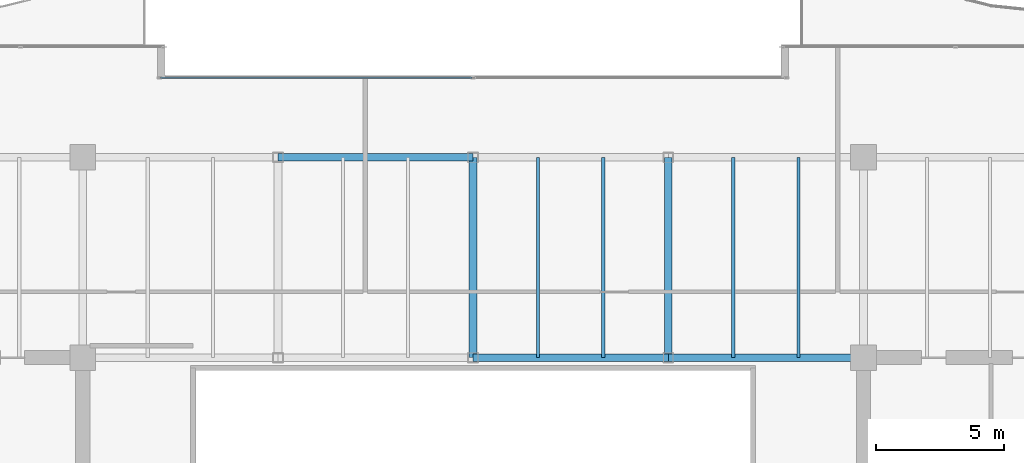
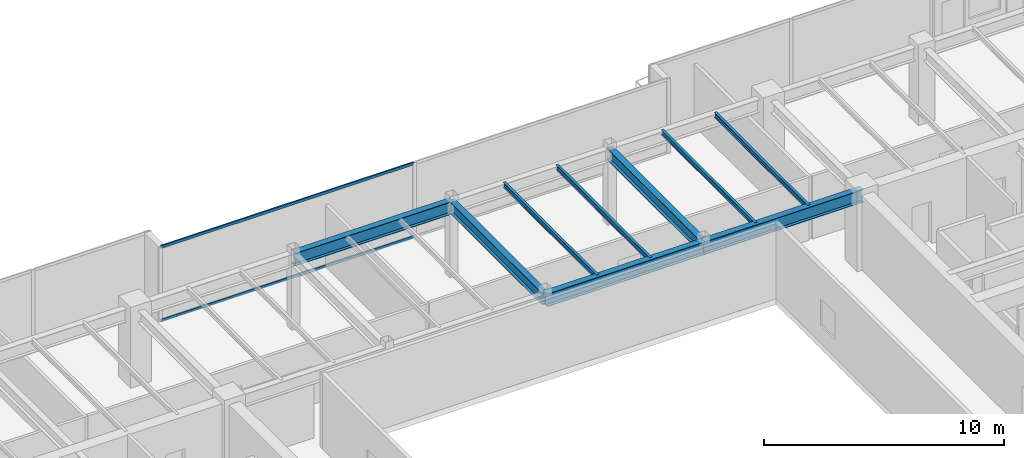
# One storey, part 18 of 34: 9 beams, 2 members, 1 element without a shape of its own.
"""IFC4 building model written with IfcOpenShell, lengths in metres."""

from ifc_helpers import new_model, si_unit, direction, frame, origin, origin_2d, place, context, subcontext, project, spatial, hollow_rectangle, i_section, extrude, source, transform, mapped, material, layer, layer_set, material_profile, profile_set, type_object, type_shapes, element, aggregate, save


model = new_model("IFC4")

# Units and contexts
model_context = context("Model", 3, precision=1e-05, world=origin(), true_north=direction((0.0, 1.0)))
body_context = subcontext(model_context, "Body", "Model", "MODEL_VIEW")
ifc_project = project(units=[si_unit("LENGTHUNIT", "METRE"), si_unit("AREAUNIT", "SQUARE_METRE"), si_unit("VOLUMEUNIT", "CUBIC_METRE"), si_unit("PLANEANGLEUNIT", "RADIAN"), si_unit("MASSUNIT", "GRAM", prefix="KILO")], contexts=[model_context])

# Site, building, storey
site_placement = place(None, origin())
site = spatial("IfcSite", under=ifc_project, at=site_placement, CompositionType="ELEMENT")
building_placement = place(site_placement, origin())
building = spatial("IfcBuilding", under=site, at=building_placement, Name="Haelvirn Gate Laboratories", CompositionType="ELEMENT")
storey_placement = place(building_placement, frame((0.0, 0.0, 246.5)))
storey = spatial("IfcBuildingStorey", under=building, at=storey_placement, Name="L59", CompositionType="ELEMENT", Elevation=246.5)

# Beams
ifc_material_1 = material(Name="Steel SM355", Category="steel")
ifc_material_profile_1 = material_profile(ifc_material_1, i_section(OverallWidth=0.300048828125, OverallDepth=0.587890625, WebThickness=0.011962890625, FlangeThickness=0.02001953125, at=origin_2d()), Name="H-588x300x12x20")
ifc_profile_set_1 = profile_set([ifc_material_profile_1], Name="Steel SM355")
beam_type_1 = type_object("IfcBeamType", Name="BM-G-588", PredefinedType="BEAM", material=ifc_profile_set_1)
shared_shape_1 = source(origin(), body_context, "Body", "SweptSolid", [
    extrude(i_section(OverallWidth=0.300048828125, OverallDepth=0.587890625, WebThickness=0.011962890625, FlangeThickness=0.02001953125, at=origin_2d()), origin(), (0.0, 0.0, 1.0), 7.800048828125),
])
type_shapes(beam_type_1, [shared_shape_1])
for number, where, z_axis, x_axis, name in (
    (1, (37.39990234375, 33.800048828125, 3.506103515625), (0.0, 1.0, 0.0), (-1.0, 0.0, 0.0), "L59 Frame Girder X37.4 (33.8-41.6)"),
    (2, (45.0, 33.800048828125, 3.506103515625), (0.0, 1.0, 0.0), (-1.0, 0.0, 0.0), "L59 Frame Girder X45.0 (33.8-41.6)"),
):
    element("IfcBeam", number, at=place(storey_placement, frame(where, z_axis=z_axis, x_axis=x_axis)), inside=storey, type_object=beam_type_1, Name=name, PredefinedType="BEAM", context=body_context, shape_type="MappedRepresentation", body=[
        mapped(shared_shape_1, transform((0.0, 0.0, 0.0), scale=1.0)),
    ])
ifc_material_profile_2 = material_profile(ifc_material_1, i_section(OverallWidth=0.300048828125, OverallDepth=0.64990234375, WebThickness=0.012939453125, FlangeThickness=0.02197265625, at=origin_2d()), Name="H-650x300x13x22")
ifc_profile_set_2 = profile_set([ifc_material_profile_2], Name="Steel SM355")
beam_type_2 = type_object("IfcBeamType", Name="BM-G-650", PredefinedType="BEAM", material=ifc_profile_set_2)
shared_shape_2 = source(origin(), body_context, "Body", "SweptSolid", [
    extrude(i_section(OverallWidth=0.300048828125, OverallDepth=0.64990234375, WebThickness=0.012939453125, FlangeThickness=0.02197265625, at=origin_2d()), origin(), (0.0, 0.0, 1.0), 7.60009765625),
])
for number, where, z_axis, x_axis, name in (
    (3, (37.39990234375, 33.800048828125, 3.47509765625), (1.0, 0.0, 0.0), (0.0, 1.0, 0.0), "L59 Primary Girder Y33.8 (37.4-45.0)"),
    (4, (45.0, 33.800048828125, 3.47509765625), (1.0, 0.0, 0.0), (0.0, 1.0, 0.0), "L59 Primary Girder Y33.8 (45.0-52.6)"),
):
    element("IfcBeam", number, at=place(storey_placement, frame(where, z_axis=z_axis, x_axis=x_axis)), inside=storey, type_object=beam_type_2, Name=name, PredefinedType="BEAM", context=body_context, shape_type="MappedRepresentation", body=[
        mapped(shared_shape_2, transform((0.0, 0.0, 0.0), scale=1.0)),
    ])
shared_shape_3 = source(origin(), body_context, "Body", "SweptSolid", [
    extrude(i_section(OverallWidth=0.300048828125, OverallDepth=0.64990234375, WebThickness=0.012939453125, FlangeThickness=0.02197265625, at=origin_2d()), origin(), (0.0, 0.0, 1.0), 7.599853515625),
])
type_shapes(beam_type_2, [shared_shape_2, shared_shape_3])
beam_placement = place(storey_placement, frame((29.800048828125, 41.60009765625, 3.47509765625), z_axis=(1.0, 0.0, 0.0), x_axis=(0.0, 1.0, 0.0)))
element("IfcBeam", 5, at=beam_placement, inside=storey, type_object=beam_type_2, Name="L59 Primary Girder Y41.6 (29.8-37.4)", PredefinedType="BEAM", context=body_context, shape_type="MappedRepresentation", body=[
    mapped(shared_shape_3, transform((0.0, 0.0, 0.0), scale=1.0)),
])
ifc_material_profile_3 = material_profile(ifc_material_1, i_section(OverallWidth=0.125, OverallDepth=0.25, WebThickness=0.006103515625, FlangeThickness=0.009033203125, at=origin_2d()), Name="H-250x125x6x9")
ifc_profile_set_3 = profile_set([ifc_material_profile_3], Name="Steel SM355")
beam_type_3 = type_object("IfcBeamType", Name="BM-J-250", PredefinedType="JOIST", material=ifc_profile_set_3)
shared_shape_4 = source(origin(), body_context, "Body", "SweptSolid", [
    extrude(i_section(OverallWidth=0.125, OverallDepth=0.25, WebThickness=0.006103515625, FlangeThickness=0.009033203125, at=origin_2d()), origin(), (0.0, 0.0, 1.0), 7.800048828125),
])
type_shapes(beam_type_3, [shared_shape_4])
for number, where, z_axis, x_axis, name in (
    (6, (39.929931640625, 33.800048828125, 3.675048828125), (0.0, 1.0, 0.0), (-1.0, 0.0, 0.0), "L59 Composite Lab Joist North X39.93"),
    (7, (42.469970703125, 33.800048828125, 3.675048828125), (0.0, 1.0, 0.0), (-1.0, 0.0, 0.0), "L59 Composite Lab Joist North X42.47"),
    (8, (47.530029296875, 33.800048828125, 3.675048828125), (0.0, 1.0, 0.0), (-1.0, 0.0, 0.0), "L59 Composite Lab Joist North X47.53"),
    (9, (50.070068359375, 33.800048828125, 3.675048828125), (0.0, 1.0, 0.0), (-1.0, 0.0, 0.0), "L59 Composite Lab Joist North X50.07"),
):
    element("IfcBeam", number, at=place(storey_placement, frame(where, z_axis=z_axis, x_axis=x_axis)), inside=storey, type_object=beam_type_3, Name=name, PredefinedType="JOIST", context=body_context, shape_type="MappedRepresentation", body=[
        mapped(shared_shape_4, transform((0.0, 0.0, 0.0), scale=1.0)),
    ])

# Curtain wall, members
ifc_material_2 = material(Name="Anodised bronze unitised aluminium & triple low-E glass", Category="aluminium")
ifc_layer = layer(ifc_material_2, 0.176025390625, Name="CW-SYS-4")
ifc_layer_set = layer_set([ifc_layer], Name="Anodised bronze unitised aluminium & triple low-E glass")
curtain_wall_type = type_object("IfcCurtainWallType", Name="CW-SYS-4", PredefinedType="NOTDEFINED", material=ifc_layer_set)
curtain_wall_placement = place(storey_placement, origin())
curtain_wall = element("IfcCurtainWall", 10, at=curtain_wall_placement, inside=storey, type_object=curtain_wall_type, Name="L59 Unitised Curtain Wall CW-L59-P0-E12-1", PredefinedType="NOTDEFINED")
ifc_material_3 = material(Name="Extruded aluminium 6063-T6 (anodised bronze)", Category="aluminium")
ifc_material_profile_4 = material_profile(ifc_material_3, hollow_rectangle(XDim=0.06494140625, YDim=0.139892578125, WallThickness=0.00390625, at=origin_2d()), Name="CWT-140x65x4")
ifc_profile_set_4 = profile_set([ifc_material_profile_4], Name="Extruded aluminium 6063-T6 (anodised bronze)")
member_type = type_object("IfcMemberType", Name="CWT-T140", PredefinedType="USERDEFINED", material=ifc_profile_set_4)
shared_shape_5 = source(origin(), body_context, "Body", "SweptSolid", [
    extrude(hollow_rectangle(XDim=0.06494140625, YDim=0.139892578125, WallThickness=0.00390625, at=origin_2d()), origin(), (0.0, 0.0, 1.0), 12.135009765625),
])
type_shapes(member_type, [shared_shape_5])
member_1_placement = place(storey_placement, frame((25.22998046875, 44.699951171875, 0.032470703125), z_axis=(1.0, 0.0, 0.0), x_axis=(0.0, 1.0, 0.0)))
member_1 = element("IfcMember", 11, at=member_1_placement, type_object=member_type, Name="CW4 transom 1.1", ObjectType="TRANSOM", PredefinedType="USERDEFINED", context=body_context, shape_type="MappedRepresentation", body=[
    mapped(shared_shape_5, transform((0.0, 0.0, 0.0), scale=1.0)),
])
member_2_placement = place(storey_placement, frame((25.22998046875, 44.699951171875, 3.767578125), z_axis=(1.0, 0.0, 0.0), x_axis=(0.0, 1.0, 0.0)))
member_2 = element("IfcMember", 12, at=member_2_placement, type_object=member_type, Name="CW4 transom 1.2", ObjectType="TRANSOM", PredefinedType="USERDEFINED", context=body_context, shape_type="MappedRepresentation", body=[
    mapped(shared_shape_5, transform((0.0, 0.0, 0.0), scale=1.0)),
])
aggregate(curtain_wall, [member_1, member_2])

save(model, "model.ifc")
